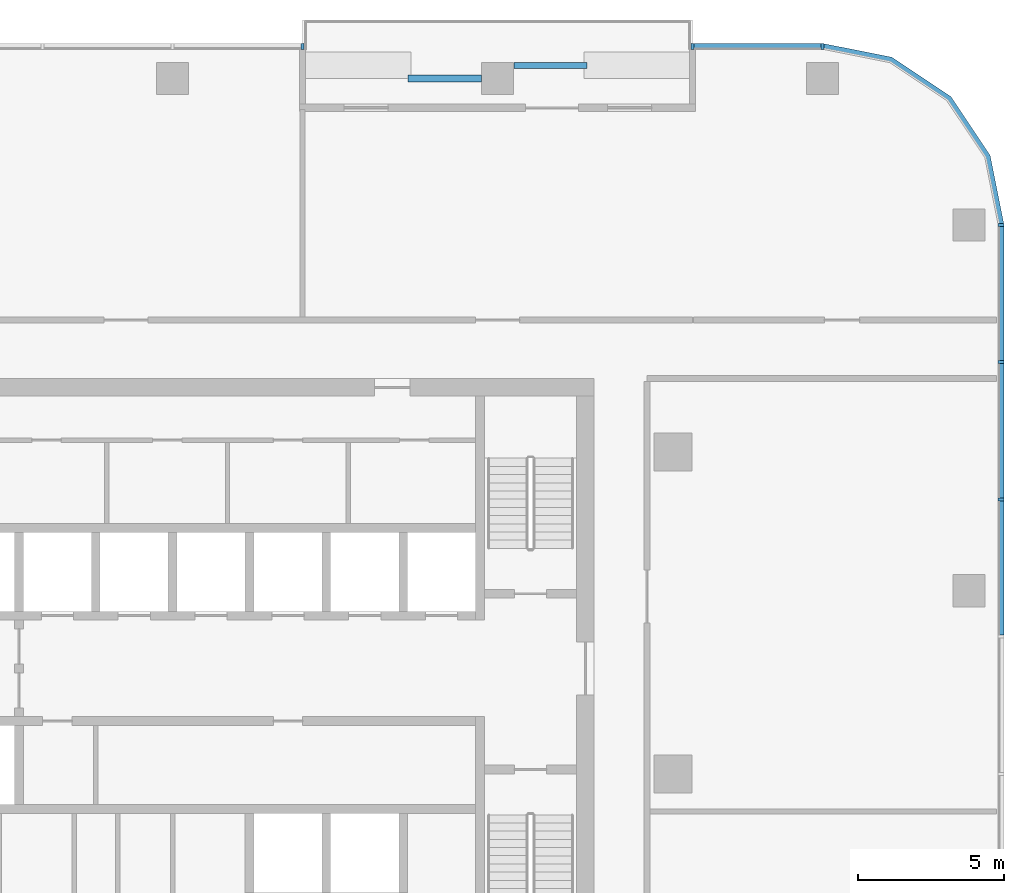
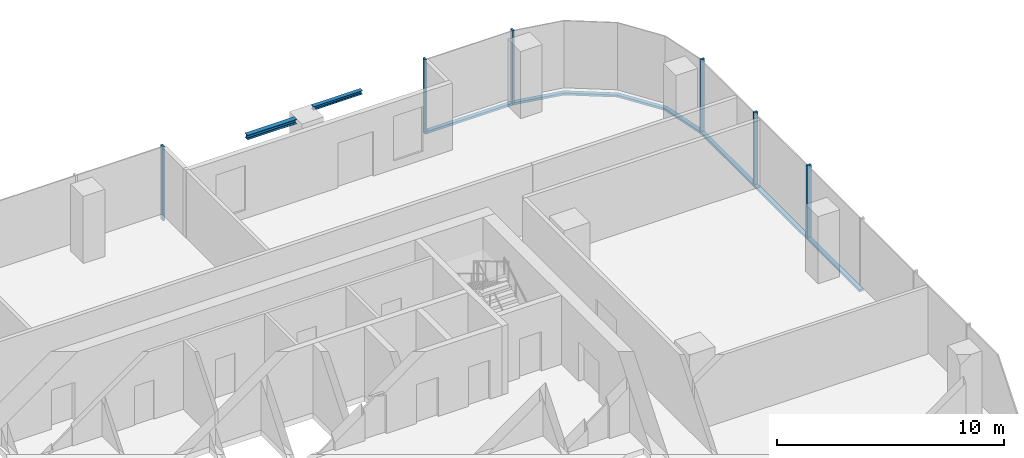
# One storey, part 5 of 14: 11 members, 2 beams, 4 elements without a shape of their own.
"""IFC4 building model written with IfcOpenShell, lengths in metres."""

from ifc_helpers import new_model, si_unit, direction, frame, origin, origin_2d, place, context, subcontext, project, spatial, polyline, rectangle, i_section, outline, extrude, material, material_profile, profile_set, type_object, element, aggregate, save


model = new_model("IFC4")

# Units and contexts
model_context = context("Model", 3, precision=1e-05, world=origin(), true_north=direction((0.0, 1.0)))
body_context = subcontext(model_context, "Body", "Model", "MODEL_VIEW")
ifc_project = project(units=[si_unit("LENGTHUNIT", "METRE"), si_unit("AREAUNIT", "SQUARE_METRE"), si_unit("VOLUMEUNIT", "CUBIC_METRE"), si_unit("PLANEANGLEUNIT", "RADIAN"), si_unit("MASSUNIT", "GRAM", prefix="KILO")], contexts=[model_context])

# Site, building, storey
site_placement = place(None, origin())
site = spatial("IfcSite", under=ifc_project, at=site_placement, CompositionType="ELEMENT")
building_placement = place(site_placement, origin())
building = spatial("IfcBuilding", under=site, at=building_placement, Name="Mopane Tessera Tower", CompositionType="ELEMENT")
storey_placement = place(building_placement, frame((0.0, 0.0, 239.0)))
storey = spatial("IfcBuildingStorey", under=building, at=storey_placement, Name="L51", CompositionType="ELEMENT", Elevation=239.0)

# Curtain wall, members
ifc_material_1 = material(Name="Aluminium frame", Category="aluminium")
curtain_wall_type = type_object("IfcCurtainWallType", Name="Unitised curtain wall", PredefinedType="NOTDEFINED", material=ifc_material_1)
curtain_wall_1_placement = place(storey_placement, origin())
curtain_wall_1 = element("IfcCurtainWall", 1, at=curtain_wall_1_placement, inside=storey, type_object=curtain_wall_type, Name="e:cw:L51:E:0", PredefinedType="NOTDEFINED")
ifc_material_2 = material(Name="Aluminium frame", Category="aluminium")
ifc_material_profile_1 = material_profile(ifc_material_2, rectangle(XDim=0.10009765625, YDim=0.199951171875, at=origin_2d()))
ifc_profile_set_1 = profile_set([ifc_material_profile_1], Name="Aluminium frame")
member_type_1 = type_object("IfcMemberType", Name="Aluminium mullion 100 x 200", PredefinedType="MULLION", material=ifc_profile_set_1)
member_1_placement = place(storey_placement, frame((28.300048828125, 9.375, -0.39990234375), z_axis=(0.0, 0.0, 1.0), x_axis=(0.0, 1.0, 0.0)))
member_1 = element("IfcMember", 2, at=member_1_placement, type_object=member_type_1, Name="e:cw:L51:E:0:mu6", PredefinedType="MULLION", context=body_context, shape_type="SweptSolid", body=[
    extrude(rectangle(XDim=0.10009765625, YDim=0.199951171875, at=origin_2d()), origin(), (0.0, 0.0, 1.0), 4.0),
])
member_2_placement = place(storey_placement, frame((28.300048828125, 14.0625, -0.39990234375), z_axis=(0.0, 0.0, 1.0), x_axis=(0.0, 1.0, 0.0)))
member_2 = element("IfcMember", 3, at=member_2_placement, type_object=member_type_1, Name="e:cw:L51:E:0:mu7", PredefinedType="MULLION", context=body_context, shape_type="SweptSolid", body=[
    extrude(rectangle(XDim=0.10009765625, YDim=0.199951171875, at=origin_2d()), origin(), (0.0, 0.0, 1.0), 4.0),
])
member_3_placement = place(storey_placement, frame((28.300048828125, 18.75, -0.39990234375), z_axis=(0.0, 0.0, 1.0), x_axis=(0.0, 1.0, 0.0)))
member_3 = element("IfcMember", 4, at=member_3_placement, type_object=member_type_1, Name="e:cw:L51:E:0:mu8", PredefinedType="MULLION", context=body_context, shape_type="SweptSolid", body=[
    extrude(rectangle(XDim=0.10009765625, YDim=0.199951171875, at=origin_2d()), origin(), (0.0, 0.0, 1.0), 4.0),
])

curtain_wall_2_placement = place(storey_placement, origin())
curtain_wall_2 = element("IfcCurtainWall", 5, at=curtain_wall_2_placement, inside=storey, type_object=curtain_wall_type, Name="e:cw:L51:N:0", PredefinedType="NOTDEFINED")
member_4_placement = place(storey_placement, frame((22.199951171875, 24.85009765625, -0.39990234375), z_axis=(0.0, 0.0, 1.0), x_axis=(-1.0, 0.0, 0.0)))
member_4 = element("IfcMember", 6, at=member_4_placement, type_object=member_type_1, Name="e:cw:L51:N:0:mu0", PredefinedType="MULLION", context=body_context, shape_type="SweptSolid", body=[
    extrude(rectangle(XDim=0.10009765625, YDim=0.199951171875, at=origin_2d()), origin(), (0.0, 0.0, 1.0), 4.0),
])
member_5_placement = place(storey_placement, frame((17.760009765625, 24.85009765625, -0.39990234375), z_axis=(0.0, 0.0, 1.0), x_axis=(-1.0, 0.0, 0.0)))
member_5 = element("IfcMember", 7, at=member_5_placement, type_object=member_type_1, Name="e:cw:L51:N:0:mu1", PredefinedType="MULLION", context=body_context, shape_type="SweptSolid", body=[
    extrude(rectangle(XDim=0.10009765625, YDim=0.199951171875, at=origin_2d()), origin(), (0.0, 0.0, 1.0), 4.0),
])

# Curtain wall, member
curtain_wall_3_placement = place(storey_placement, origin())
curtain_wall_3 = element("IfcCurtainWall", 8, at=curtain_wall_3_placement, inside=storey, type_object=curtain_wall_type, Name="e:cw:L51:N:4", PredefinedType="NOTDEFINED")
member_6_placement = place(storey_placement, frame((4.43994140625, 24.85009765625, -0.39990234375), z_axis=(0.0, 0.0, 1.0), x_axis=(-1.0, 0.0, 0.0)))
member_6 = element("IfcMember", 9, at=member_6_placement, type_object=member_type_1, Name="e:cw:L51:N:4:mu4", PredefinedType="MULLION", context=body_context, shape_type="SweptSolid", body=[
    extrude(rectangle(XDim=0.10009765625, YDim=0.199951171875, at=origin_2d()), origin(), (0.0, 0.0, 1.0), 4.0),
])
aggregate(curtain_wall_3, [member_6])

# Member
ifc_material_3 = material(Name="Aluminium frame", Category="aluminium")
ifc_material_profile_2 = material_profile(ifc_material_3, rectangle(XDim=0.199951171875, YDim=0.1201171875, at=origin_2d()))
ifc_profile_set_2 = profile_set([ifc_material_profile_2], Name="Aluminium frame")
member_type_2 = type_object("IfcMemberType", Name="Aluminium transom 200 x 120", PredefinedType="USERDEFINED", material=ifc_profile_set_2)
member_7_placement = place(storey_placement, frame((28.300048828125, 4.737548828125, -0.340087890625), z_axis=(0.0, 1.0, 0.0), x_axis=(-1.0, 0.0, 0.0)))
member_7 = element("IfcMember", 10, at=member_7_placement, type_object=member_type_2, Name="e:cw:L51:E:0:tr5", ObjectType="TRANSOM", PredefinedType="USERDEFINED", context=body_context, shape_type="SweptSolid", body=[
    extrude(rectangle(XDim=0.199951171875, YDim=0.1201171875, at=origin_2d()), origin(), (0.0, 0.0, 1.0), 4.58740234375),
])

member_8_placement = place(storey_placement, frame((28.300048828125, 9.425048828125, -0.340087890625), z_axis=(0.0, 1.0, 0.0), x_axis=(-1.0, 0.0, 0.0)))
member_8 = element("IfcMember", 11, at=member_8_placement, type_object=member_type_2, Name="e:cw:L51:E:0:tr6", ObjectType="TRANSOM", PredefinedType="USERDEFINED", context=body_context, shape_type="SweptSolid", body=[
    extrude(rectangle(XDim=0.199951171875, YDim=0.1201171875, at=origin_2d()), origin(), (0.0, 0.0, 1.0), 4.58740234375),
])

member_9_placement = place(storey_placement, frame((28.300048828125, 14.112548828125, -0.340087890625), z_axis=(0.0, 1.0, 0.0), x_axis=(-1.0, 0.0, 0.0)))
member_9 = element("IfcMember", 12, at=member_9_placement, type_object=member_type_2, Name="e:cw:L51:E:0:tr7", ObjectType="TRANSOM", PredefinedType="USERDEFINED", context=body_context, shape_type="SweptSolid", body=[
    extrude(rectangle(XDim=0.199951171875, YDim=0.1201171875, at=origin_2d()), origin(), (0.0, 0.0, 1.0), 4.58740234375),
])

aggregate(curtain_wall_1, [member_1, member_2, member_3, member_7, member_8, member_9])

# Curtain wall, member
curtain_wall_4_placement = place(storey_placement, origin())
curtain_wall_4 = element("IfcCurtainWall", 13, at=curtain_wall_4_placement, inside=storey, type_object=curtain_wall_type, Name="e:cw:L51:CE", PredefinedType="NOTDEFINED")
member_10_placement = place(storey_placement, frame((0.0, 0.0, -0.39990234375)))
member_10 = element("IfcMember", 14, at=member_10_placement, type_object=member_type_2, Name="e:cw:L51:CE:tr", ObjectType="TRANSOM", PredefinedType="USERDEFINED", context=body_context, shape_type="SweptSolid", body=[
    extrude(outline(polyline([(28.199951171875, 18.75), (27.7431640625, 21.046142578125), (26.442626953125, 22.99267578125), (24.49609375, 24.293212890625), (22.199951171875, 24.75), (22.199951171875, 24.949951171875), (24.57275390625, 24.47802734375), (26.583984375, 23.134033203125), (27.927978515625, 21.12255859375), (28.39990234375, 18.75), (28.199951171875, 18.75)])), origin(), (0.0, 0.0, 1.0), 0.119873046875),
])
aggregate(curtain_wall_4, [member_10])

# Member
member_11_placement = place(storey_placement, frame((22.14990234375, 24.85009765625, -0.340087890625), z_axis=(-1.0, 0.0, 0.0), x_axis=(0.0, -1.0, 0.0)))
member_11 = element("IfcMember", 15, at=member_11_placement, type_object=member_type_2, Name="e:cw:L51:N:0:tr0", ObjectType="TRANSOM", PredefinedType="USERDEFINED", context=body_context, shape_type="SweptSolid", body=[
    extrude(rectangle(XDim=0.199951171875, YDim=0.1201171875, at=origin_2d()), origin(), (0.0, 0.0, 1.0), 4.33984375),
])

aggregate(curtain_wall_2, [member_4, member_5, member_11])

# Beams
ifc_material_4 = material(Name="Structural steel S460", Category="steel")
ifc_material_profile_3 = material_profile(ifc_material_4, i_section(OverallWidth=0.239990234375, OverallDepth=0.239990234375, WebThickness=0.010009765625, FlangeThickness=0.01708984375, FilletRadius=0.02099609375, at=origin_2d()))
ifc_profile_set_3 = profile_set([ifc_material_profile_3], Name="Structural steel S460")
beam_type_1 = type_object("IfcBeamType", Name="Terrace spandrel beam HE 240 B", PredefinedType="SPANDREL", material=ifc_profile_set_3)
beam_1_placement = place(storey_placement, frame((10.547119140625, 23.75, 3.47998046875), z_axis=(-1.0, 0.0, 0.0), x_axis=(0.0, -1.0, 0.0)))
element("IfcBeam", 16, at=beam_1_placement, inside=storey, type_object=beam_type_1, Name="Terrace spandrel beam N2 L52", PredefinedType="SPANDREL", context=body_context, shape_type="SweptSolid", body=[
    extrude(i_section(OverallWidth=0.239990234375, OverallDepth=0.239990234375, WebThickness=0.010009765625, FlangeThickness=0.01708984375, FilletRadius=0.02099609375, at=origin_2d()), origin(), (0.0, 0.0, 1.0), 2.5),
])
ifc_material_5 = material(Name="Structural steel S460", Category="steel")
ifc_material_profile_4 = material_profile(ifc_material_5, i_section(OverallWidth=0.199951171875, OverallDepth=0.199951171875, WebThickness=0.009033203125, FlangeThickness=0.014892578125, FilletRadius=0.01806640625, at=origin_2d()))
ifc_profile_set_4 = profile_set([ifc_material_profile_4], Name="Structural steel S460")
beam_type_2 = type_object("IfcBeamType", Name="Terrace trimmer beam HE 200 B", PredefinedType="BEAM", material=ifc_profile_set_4)
beam_2_placement = place(storey_placement, frame((11.653076171875, 24.18994140625, 3.5), z_axis=(1.0, 0.0, 0.0), x_axis=(0.0, 1.0, 0.0)))
element("IfcBeam", 17, at=beam_2_placement, inside=storey, type_object=beam_type_2, Name="Terrace trimmer beam N2 L52", PredefinedType="BEAM", context=body_context, shape_type="SweptSolid", body=[
    extrude(i_section(OverallWidth=0.199951171875, OverallDepth=0.199951171875, WebThickness=0.009033203125, FlangeThickness=0.014892578125, FilletRadius=0.01806640625, at=origin_2d()), origin(), (0.0, 0.0, 1.0), 2.5),
])

save(model, "model.ifc")
